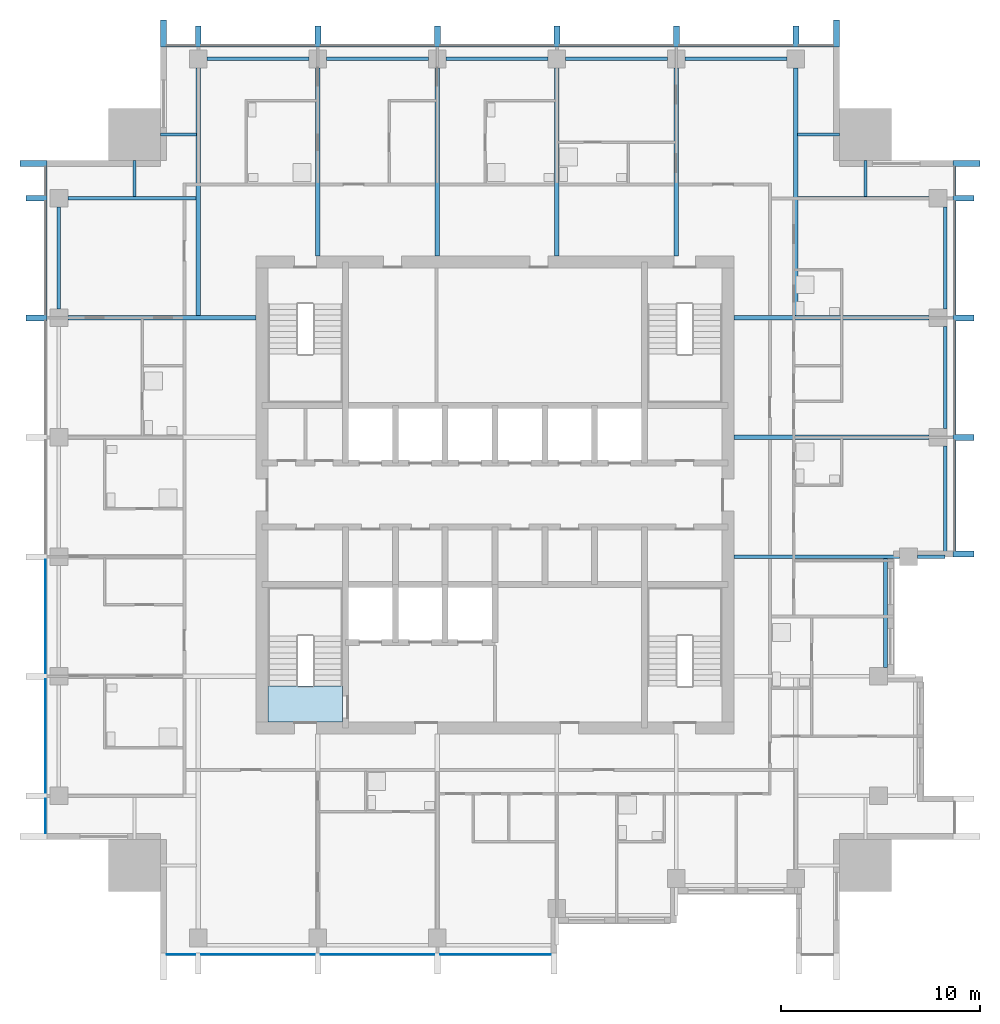
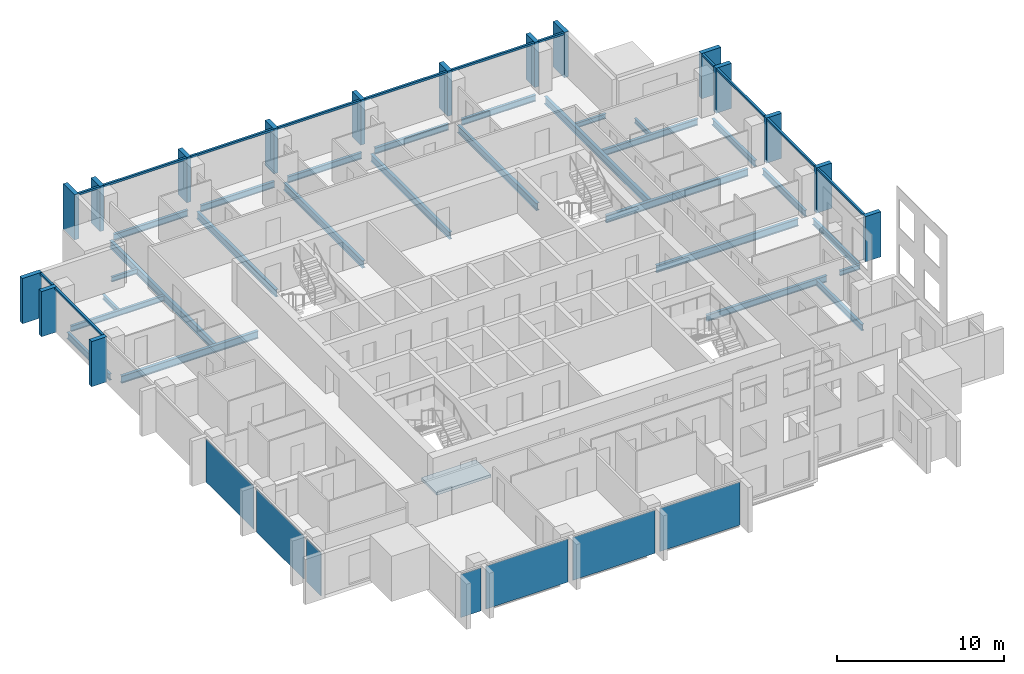
# One storey, part 2 of 11: 29 members, 27 beams, 7 plates, 1 slab, 5 elements without a shape of their own.
"""IFC4 building model written with IfcOpenShell, lengths in metres."""

from ifc_helpers import new_model, si_unit, direction, frame, origin, origin_2d, place, context, subcontext, project, spatial, polyline, rectangle, i_section, outline, extrude, material, layer, layer_set, material_profile, profile_set, type_object, element, aggregate, save


model = new_model("IFC4")

# Units and contexts
model_context = context("Model", 3, precision=1e-05, world=origin(), true_north=direction((0.0, 1.0)))
body_context = subcontext(model_context, "Body", "Model", "MODEL_VIEW")
ifc_project = project(units=[si_unit("LENGTHUNIT", "METRE"), si_unit("AREAUNIT", "SQUARE_METRE"), si_unit("VOLUMEUNIT", "CUBIC_METRE"), si_unit("PLANEANGLEUNIT", "RADIAN"), si_unit("MASSUNIT", "GRAM", prefix="KILO")], contexts=[model_context])

# Site, building, storey
site_placement = place(None, origin())
site = spatial("IfcSite", under=ifc_project, at=site_placement, CompositionType="ELEMENT")
building_placement = place(site_placement, origin())
building = spatial("IfcBuilding", under=site, at=building_placement, Name="Amberfall Residences", CompositionType="ELEMENT")
storey_placement = place(building_placement, frame((0.0, 0.0, 196.89990234375)))
storey = spatial("IfcBuildingStorey", under=building, at=storey_placement, Name="L52", CompositionType="ELEMENT", Elevation=196.89990234375)

# Curtain wall, members
ifc_material_1 = material(Name="Bronze anodised aluminium and glass", Category="aluminium")
curtain_wall_type = type_object("IfcCurtainWallType", Name="Curtain wall CW1 tower unit", PredefinedType="USERDEFINED", material=ifc_material_1)
curtain_wall_1_placement = place(storey_placement, origin())
curtain_wall_1 = element("IfcCurtainWall", 1, at=curtain_wall_1_placement, inside=storey, type_object=curtain_wall_type, Name="Curtain wall L52 E E7", ObjectType="UNITISED CURTAIN WALL", PredefinedType="USERDEFINED")
ifc_material_2 = material(Name="Bronze anodised aluminium", Category="aluminium")
ifc_material_profile_1 = material_profile(ifc_material_2, rectangle(XDim=0.14990234375, YDim=0.14990234375, at=origin_2d()), Name="CW1 transom 150 x 150 bronze")
ifc_profile_set_1 = profile_set([ifc_material_profile_1], Name="Bronze anodised aluminium")
member_type_1 = type_object("IfcMemberType", Name="CW1 transom 150 x 150 bronze", PredefinedType="USERDEFINED", material=ifc_profile_set_1)
member_1_placement = place(storey_placement, frame((97.574951171875, 42.699951171875, 2.97509765625), z_axis=(0.0, 1.0, 0.0), x_axis=(-1.0, 0.0, 0.0)))
member_1 = element("IfcMember", 2, at=member_1_placement, type_object=member_type_1, Name="CW1 transom 1.1", ObjectType="TRANSOM", PredefinedType="USERDEFINED", context=body_context, shape_type="SweptSolid", body=[
    extrude(rectangle(XDim=0.14990234375, YDim=0.14990234375, at=origin_2d()), origin(), (0.0, 0.0, 1.0), 5.550048828125),
])
member_2_placement = place(storey_placement, frame((97.574951171875, 48.550048828125, 2.97509765625), z_axis=(0.0, 1.0, 0.0), x_axis=(-1.0, 0.0, 0.0)))
member_2 = element("IfcMember", 3, at=member_2_placement, type_object=member_type_1, Name="CW1 transom 2.1", ObjectType="TRANSOM", PredefinedType="USERDEFINED", context=body_context, shape_type="SweptSolid", body=[
    extrude(rectangle(XDim=0.14990234375, YDim=0.14990234375, at=origin_2d()), origin(), (0.0, 0.0, 1.0), 5.699951171875),
])
member_3_placement = place(storey_placement, frame((97.574951171875, 54.550048828125, 2.97509765625), z_axis=(0.0, 1.0, 0.0), x_axis=(-1.0, 0.0, 0.0)))
member_3 = element("IfcMember", 4, at=member_3_placement, type_object=member_type_1, Name="CW1 transom 3.1", ObjectType="TRANSOM", PredefinedType="USERDEFINED", context=body_context, shape_type="SweptSolid", body=[
    extrude(rectangle(XDim=0.14990234375, YDim=0.14990234375, at=origin_2d()), origin(), (0.0, 0.0, 1.0), 5.699951171875),
])
member_4_placement = place(storey_placement, frame((97.574951171875, 60.550048828125, 2.97509765625), z_axis=(0.0, 1.0, 0.0), x_axis=(-1.0, 0.0, 0.0)))
member_4 = element("IfcMember", 5, at=member_4_placement, type_object=member_type_1, Name="CW1 transom 4.1", ObjectType="TRANSOM", PredefinedType="USERDEFINED", context=body_context, shape_type="SweptSolid", body=[
    extrude(rectangle(XDim=0.14990234375, YDim=0.14990234375, at=origin_2d()), origin(), (0.0, 0.0, 1.0), 1.449951171875),
])

curtain_wall_2_placement = place(storey_placement, origin())
curtain_wall_2 = element("IfcCurtainWall", 6, at=curtain_wall_2_placement, inside=storey, type_object=curtain_wall_type, Name="Curtain wall L52 N N1", ObjectType="UNITISED CURTAIN WALL", PredefinedType="USERDEFINED")
member_5_placement = place(storey_placement, frame((91.5, 68.074951171875, 2.97509765625), z_axis=(-1.0, 0.0, 0.0), x_axis=(0.0, -1.0, 0.0)))
member_5 = element("IfcMember", 7, at=member_5_placement, type_object=member_type_1, Name="CW1 transom 1.1", ObjectType="TRANSOM", PredefinedType="USERDEFINED", context=body_context, shape_type="SweptSolid", body=[
    extrude(rectangle(XDim=0.14990234375, YDim=0.14990234375, at=origin_2d()), origin(), (0.0, 0.0, 1.0), 1.75),
])
member_6_placement = place(storey_placement, frame((89.449951171875, 68.074951171875, 2.97509765625), z_axis=(-1.0, 0.0, 0.0), x_axis=(0.0, -1.0, 0.0)))
member_6 = element("IfcMember", 8, at=member_6_placement, type_object=member_type_1, Name="CW1 transom 2.1", ObjectType="TRANSOM", PredefinedType="USERDEFINED", context=body_context, shape_type="SweptSolid", body=[
    extrude(rectangle(XDim=0.14990234375, YDim=0.14990234375, at=origin_2d()), origin(), (0.0, 0.0, 1.0), 5.699951171875),
])
member_7_placement = place(storey_placement, frame((83.449951171875, 68.074951171875, 2.97509765625), z_axis=(-1.0, 0.0, 0.0), x_axis=(0.0, -1.0, 0.0)))
member_7 = element("IfcMember", 9, at=member_7_placement, type_object=member_type_1, Name="CW1 transom 3.1", ObjectType="TRANSOM", PredefinedType="USERDEFINED", context=body_context, shape_type="SweptSolid", body=[
    extrude(rectangle(XDim=0.14990234375, YDim=0.14990234375, at=origin_2d()), origin(), (0.0, 0.0, 1.0), 5.699951171875),
])
member_8_placement = place(storey_placement, frame((77.449951171875, 68.074951171875, 2.97509765625), z_axis=(-1.0, 0.0, 0.0), x_axis=(0.0, -1.0, 0.0)))
member_8 = element("IfcMember", 10, at=member_8_placement, type_object=member_type_1, Name="CW1 transom 4.1", ObjectType="TRANSOM", PredefinedType="USERDEFINED", context=body_context, shape_type="SweptSolid", body=[
    extrude(rectangle(XDim=0.14990234375, YDim=0.14990234375, at=origin_2d()), origin(), (0.0, 0.0, 1.0), 5.699951171875),
])
member_9_placement = place(storey_placement, frame((71.449951171875, 68.074951171875, 2.97509765625), z_axis=(-1.0, 0.0, 0.0), x_axis=(0.0, -1.0, 0.0)))
member_9 = element("IfcMember", 11, at=member_9_placement, type_object=member_type_1, Name="CW1 transom 5.1", ObjectType="TRANSOM", PredefinedType="USERDEFINED", context=body_context, shape_type="SweptSolid", body=[
    extrude(rectangle(XDim=0.14990234375, YDim=0.14990234375, at=origin_2d()), origin(), (0.0, 0.0, 1.0), 5.699951171875),
])
member_10_placement = place(storey_placement, frame((65.449951171875, 68.074951171875, 2.97509765625), z_axis=(-1.0, 0.0, 0.0), x_axis=(0.0, -1.0, 0.0)))
member_10 = element("IfcMember", 12, at=member_10_placement, type_object=member_type_1, Name="CW1 transom 6.1", ObjectType="TRANSOM", PredefinedType="USERDEFINED", context=body_context, shape_type="SweptSolid", body=[
    extrude(rectangle(XDim=0.14990234375, YDim=0.14990234375, at=origin_2d()), origin(), (0.0, 0.0, 1.0), 5.699951171875),
])
member_11_placement = place(storey_placement, frame((59.449951171875, 68.074951171875, 2.97509765625), z_axis=(-1.0, 0.0, 0.0), x_axis=(0.0, -1.0, 0.0)))
member_11 = element("IfcMember", 13, at=member_11_placement, type_object=member_type_1, Name="CW1 transom 7.1", ObjectType="TRANSOM", PredefinedType="USERDEFINED", context=body_context, shape_type="SweptSolid", body=[
    extrude(rectangle(XDim=0.14990234375, YDim=0.14990234375, at=origin_2d()), origin(), (0.0, 0.0, 1.0), 1.449951171875),
])

curtain_wall_3_placement = place(storey_placement, origin())
curtain_wall_3 = element("IfcCurtainWall", 14, at=curtain_wall_3_placement, inside=storey, type_object=curtain_wall_type, Name="Curtain wall L52 W W1", ObjectType="UNITISED CURTAIN WALL", PredefinedType="USERDEFINED")
member_12_placement = place(storey_placement, frame((51.925048828125, 62.0, 2.97509765625), z_axis=(0.0, -1.0, 0.0), x_axis=(1.0, 0.0, 0.0)))
member_12 = element("IfcMember", 15, at=member_12_placement, type_object=member_type_1, Name="CW1 transom 1.1", ObjectType="TRANSOM", PredefinedType="USERDEFINED", context=body_context, shape_type="SweptSolid", body=[
    extrude(rectangle(XDim=0.14990234375, YDim=0.14990234375, at=origin_2d()), origin(), (0.0, 0.0, 1.0), 1.449951171875),
])
member_13_placement = place(storey_placement, frame((51.925048828125, 60.25, 2.97509765625), z_axis=(0.0, -1.0, 0.0), x_axis=(1.0, 0.0, 0.0)))
member_13 = element("IfcMember", 16, at=member_13_placement, type_object=member_type_1, Name="CW1 transom 2.1", ObjectType="TRANSOM", PredefinedType="USERDEFINED", context=body_context, shape_type="SweptSolid", body=[
    extrude(rectangle(XDim=0.14990234375, YDim=0.14990234375, at=origin_2d()), origin(), (0.0, 0.0, 1.0), 5.699951171875),
])

# Beam
ifc_material_3 = material(Name="Steel S355", Category="steel")
ifc_material_profile_2 = material_profile(ifc_material_3, i_section(OverallWidth=0.171142578125, OverallDepth=0.351318359375, WebThickness=0.007080078125, FlangeThickness=0.009765625, FilletRadius=0.01025390625, at=origin_2d()), Name="UB 356x171x45")
ifc_profile_set_2 = profile_set([ifc_material_profile_2], Name="Steel S355")
beam_type_1 = type_object("IfcBeamType", Name="Cantilever girder UB 356x171x45", PredefinedType="BEAM", material=ifc_profile_set_2)
beam_1_placement = place(storey_placement, frame((95.699951171875, 42.39990234375, -0.425537109375), z_axis=(1.0, 0.0, 0.0), x_axis=(0.0, 1.0, 0.0)))
element("IfcBeam", 17, at=beam_1_placement, inside=storey, type_object=beam_type_1, Name="Cantilever girder B8 L52 21", PredefinedType="BEAM", context=body_context, shape_type="SweptSolid", body=[
    extrude(i_section(OverallWidth=0.171142578125, OverallDepth=0.351318359375, WebThickness=0.007080078125, FlangeThickness=0.009765625, FilletRadius=0.01025390625, at=origin_2d()), origin(), (0.0, 0.0, 1.0), 1.400146484375),
])

# Member
ifc_material_profile_3 = material_profile(ifc_material_2, rectangle(XDim=1.35009765625, YDim=0.300048828125, at=origin_2d()), Name="Corner fin 300 x 1350 bronze")
ifc_profile_set_3 = profile_set([ifc_material_profile_3], Name="Bronze anodised aluminium")
member_type_2 = type_object("IfcMemberType", Name="Corner fin 300 x 1350 bronze", PredefinedType="MULLION", material=ifc_profile_set_3)
member_14_placement = place(storey_placement, frame((98.175048828125, 62.14990234375, -0.25), z_axis=(0.0, 0.0, 1.0), x_axis=(-1.0, 0.0, 0.0)))
member_14 = element("IfcMember", 18, at=member_14_placement, type_object=member_type_2, Name="CW FIN 5", PredefinedType="MULLION", context=body_context, shape_type="SweptSolid", body=[
    extrude(rectangle(XDim=1.35009765625, YDim=0.300048828125, at=origin_2d()), origin(), (0.0, 0.0, 1.0), 3.300048828125),
])

member_15_placement = place(storey_placement, frame((91.64990234375, 68.675048828125, -0.25), z_axis=(0.0, 0.0, 1.0), x_axis=(0.0, -1.0, 0.0)))
member_15 = element("IfcMember", 19, at=member_15_placement, type_object=member_type_2, Name="CW FIN 1", PredefinedType="MULLION", context=body_context, shape_type="SweptSolid", body=[
    extrude(rectangle(XDim=1.35009765625, YDim=0.300048828125, at=origin_2d()), origin(), (0.0, 0.0, 1.0), 3.300048828125),
])

member_16_placement = place(storey_placement, frame((57.85009765625, 68.675048828125, -0.25), z_axis=(0.0, 0.0, 1.0), x_axis=(0.0, -1.0, 0.0)))
member_16 = element("IfcMember", 20, at=member_16_placement, type_object=member_type_2, Name="CW FIN 8", PredefinedType="MULLION", context=body_context, shape_type="SweptSolid", body=[
    extrude(rectangle(XDim=1.35009765625, YDim=0.300048828125, at=origin_2d()), origin(), (0.0, 0.0, 1.0), 3.300048828125),
])

member_17_placement = place(storey_placement, frame((51.324951171875, 62.14990234375, -0.25), z_axis=(0.0, 0.0, 1.0), x_axis=(1.0, 0.0, 0.0)))
member_17 = element("IfcMember", 21, at=member_17_placement, type_object=member_type_2, Name="CW FIN 1", PredefinedType="MULLION", context=body_context, shape_type="SweptSolid", body=[
    extrude(rectangle(XDim=1.35009765625, YDim=0.300048828125, at=origin_2d()), origin(), (0.0, 0.0, 1.0), 3.300048828125),
])

# Beams
ifc_material_profile_4 = material_profile(ifc_material_3, i_section(OverallWidth=0.18994140625, OverallDepth=0.453369140625, WebThickness=0.008544921875, FlangeThickness=0.0126953125, FilletRadius=0.01025390625, at=origin_2d()), Name="UB 457x191x67")
ifc_profile_set_4 = profile_set([ifc_material_profile_4], Name="Steel S355")
beam_type_2 = type_object("IfcBeamType", Name="Edge beam UB 457x191x67", PredefinedType="SPANDREL", material=ifc_profile_set_4)
for number, where, z_axis, x_axis, name in (
    (22, (94.10009765625, 36.85009765625, -0.4765625), (0.0, 1.0, 0.0), (-1.0, 0.0, 0.0), "Edge beam B1 L52 15"),
    (23, (97.10009765625, 42.47998046875, -0.4765625), (0.0, 1.0, 0.0), (-1.0, 0.0, 0.0), "Edge beam B1 L52 16"),
):
    element("IfcBeam", number, at=place(storey_placement, frame(where, z_axis=z_axis, x_axis=x_axis)), inside=storey, type_object=beam_type_2, Name=name, PredefinedType="SPANDREL", context=body_context, shape_type="SweptSolid", body=[
        extrude(i_section(OverallWidth=0.18994140625, OverallDepth=0.453369140625, WebThickness=0.008544921875, FlangeThickness=0.0126953125, FilletRadius=0.01025390625, at=origin_2d()), origin(), (0.0, 0.0, 1.0), 5.469970703125),
    ])
for number, where, z_axis, x_axis, name in (
    (24, (97.10009765625, 48.85009765625, -0.4765625), (0.0, 1.0, 0.0), (-1.0, 0.0, 0.0), "Edge beam B1 L52 17"),
    (25, (97.10009765625, 54.85009765625, -0.4765625), (0.0, 1.0, 0.0), (-1.0, 0.0, 0.0), "Edge beam B1 L52 18"),
    (26, (60.050048828125, 67.39990234375, -0.4765625), (1.0, 0.0, 0.0), (0.0, 1.0, 0.0), "Edge beam B1 L52 28"),
    (27, (66.050048828125, 67.39990234375, -0.4765625), (1.0, 0.0, 0.0), (0.0, 1.0, 0.0), "Edge beam B1 L52 29"),
    (28, (72.050048828125, 67.39990234375, -0.4765625), (1.0, 0.0, 0.0), (0.0, 1.0, 0.0), "Edge beam B1 L52 30"),
    (29, (78.050048828125, 67.39990234375, -0.4765625), (1.0, 0.0, 0.0), (0.0, 1.0, 0.0), "Edge beam B1 L52 31"),
    (30, (84.050048828125, 67.39990234375, -0.4765625), (1.0, 0.0, 0.0), (0.0, 1.0, 0.0), "Edge beam B1 L52 32"),
    (31, (52.60009765625, 54.85009765625, -0.4765625), (0.0, 1.0, 0.0), (-1.0, 0.0, 0.0), "Edge beam B1 L52 43"),
):
    element("IfcBeam", number, at=place(storey_placement, frame(where, z_axis=z_axis, x_axis=x_axis)), inside=storey, type_object=beam_type_2, Name=name, PredefinedType="SPANDREL", context=body_context, shape_type="SweptSolid", body=[
        extrude(i_section(OverallWidth=0.18994140625, OverallDepth=0.453369140625, WebThickness=0.008544921875, FlangeThickness=0.0126953125, FilletRadius=0.01025390625, at=origin_2d()), origin(), (0.0, 0.0, 1.0), 5.099853515625),
    ])

# Member
ifc_material_profile_5 = material_profile(ifc_material_2, rectangle(XDim=1.050048828125, YDim=0.300048828125, at=origin_2d()), Name="Fin 300 x 1050 bronze")
ifc_profile_set_5 = profile_set([ifc_material_profile_5], Name="Bronze anodised aluminium")
member_type_3 = type_object("IfcMemberType", Name="Fin 300 x 1050 bronze", PredefinedType="MULLION", material=ifc_profile_set_5)
member_18_placement = place(storey_placement, frame((98.02490234375, 42.550048828125, -0.25), z_axis=(0.0, 0.0, 1.0), x_axis=(-1.0, 0.0, 0.0)))
member_18 = element("IfcMember", 32, at=member_18_placement, type_object=member_type_3, Name="CW FIN 1", PredefinedType="MULLION", context=body_context, shape_type="SweptSolid", body=[
    extrude(rectangle(XDim=1.050048828125, YDim=0.300048828125, at=origin_2d()), origin(), (0.0, 0.0, 1.0), 3.300048828125),
])

member_19_placement = place(storey_placement, frame((98.02490234375, 48.39990234375, -0.25), z_axis=(0.0, 0.0, 1.0), x_axis=(-1.0, 0.0, 0.0)))
member_19 = element("IfcMember", 33, at=member_19_placement, type_object=member_type_3, Name="CW FIN 2", PredefinedType="MULLION", context=body_context, shape_type="SweptSolid", body=[
    extrude(rectangle(XDim=1.050048828125, YDim=0.300048828125, at=origin_2d()), origin(), (0.0, 0.0, 1.0), 3.300048828125),
])

member_20_placement = place(storey_placement, frame((98.02490234375, 54.39990234375, -0.25), z_axis=(0.0, 0.0, 1.0), x_axis=(-1.0, 0.0, 0.0)))
member_20 = element("IfcMember", 34, at=member_20_placement, type_object=member_type_3, Name="CW FIN 3", PredefinedType="MULLION", context=body_context, shape_type="SweptSolid", body=[
    extrude(rectangle(XDim=1.050048828125, YDim=0.300048828125, at=origin_2d()), origin(), (0.0, 0.0, 1.0), 3.300048828125),
])

member_21_placement = place(storey_placement, frame((98.02490234375, 60.39990234375, -0.25), z_axis=(0.0, 0.0, 1.0), x_axis=(-1.0, 0.0, 0.0)))
member_21 = element("IfcMember", 35, at=member_21_placement, type_object=member_type_3, Name="CW FIN 4", PredefinedType="MULLION", context=body_context, shape_type="SweptSolid", body=[
    extrude(rectangle(XDim=1.050048828125, YDim=0.300048828125, at=origin_2d()), origin(), (0.0, 0.0, 1.0), 3.300048828125),
])

aggregate(curtain_wall_1, [member_18, member_19, member_20, member_21, member_14, member_1, member_2, member_3, member_4])

member_22_placement = place(storey_placement, frame((89.60009765625, 68.52490234375, -0.25), z_axis=(0.0, 0.0, 1.0), x_axis=(0.0, -1.0, 0.0)))
member_22 = element("IfcMember", 36, at=member_22_placement, type_object=member_type_3, Name="CW FIN 2", PredefinedType="MULLION", context=body_context, shape_type="SweptSolid", body=[
    extrude(rectangle(XDim=1.050048828125, YDim=0.300048828125, at=origin_2d()), origin(), (0.0, 0.0, 1.0), 3.300048828125),
])

member_23_placement = place(storey_placement, frame((83.60009765625, 68.52490234375, -0.25), z_axis=(0.0, 0.0, 1.0), x_axis=(0.0, -1.0, 0.0)))
member_23 = element("IfcMember", 37, at=member_23_placement, type_object=member_type_3, Name="CW FIN 3", PredefinedType="MULLION", context=body_context, shape_type="SweptSolid", body=[
    extrude(rectangle(XDim=1.050048828125, YDim=0.300048828125, at=origin_2d()), origin(), (0.0, 0.0, 1.0), 3.300048828125),
])

member_24_placement = place(storey_placement, frame((77.60009765625, 68.52490234375, -0.25), z_axis=(0.0, 0.0, 1.0), x_axis=(0.0, -1.0, 0.0)))
member_24 = element("IfcMember", 38, at=member_24_placement, type_object=member_type_3, Name="CW FIN 4", PredefinedType="MULLION", context=body_context, shape_type="SweptSolid", body=[
    extrude(rectangle(XDim=1.050048828125, YDim=0.300048828125, at=origin_2d()), origin(), (0.0, 0.0, 1.0), 3.300048828125),
])

member_25_placement = place(storey_placement, frame((71.60009765625, 68.52490234375, -0.25), z_axis=(0.0, 0.0, 1.0), x_axis=(0.0, -1.0, 0.0)))
member_25 = element("IfcMember", 39, at=member_25_placement, type_object=member_type_3, Name="CW FIN 5", PredefinedType="MULLION", context=body_context, shape_type="SweptSolid", body=[
    extrude(rectangle(XDim=1.050048828125, YDim=0.300048828125, at=origin_2d()), origin(), (0.0, 0.0, 1.0), 3.300048828125),
])

member_26_placement = place(storey_placement, frame((65.60009765625, 68.52490234375, -0.25), z_axis=(0.0, 0.0, 1.0), x_axis=(0.0, -1.0, 0.0)))
member_26 = element("IfcMember", 40, at=member_26_placement, type_object=member_type_3, Name="CW FIN 6", PredefinedType="MULLION", context=body_context, shape_type="SweptSolid", body=[
    extrude(rectangle(XDim=1.050048828125, YDim=0.300048828125, at=origin_2d()), origin(), (0.0, 0.0, 1.0), 3.300048828125),
])

member_27_placement = place(storey_placement, frame((59.60009765625, 68.52490234375, -0.25), z_axis=(0.0, 0.0, 1.0), x_axis=(0.0, -1.0, 0.0)))
member_27 = element("IfcMember", 41, at=member_27_placement, type_object=member_type_3, Name="CW FIN 7", PredefinedType="MULLION", context=body_context, shape_type="SweptSolid", body=[
    extrude(rectangle(XDim=1.050048828125, YDim=0.300048828125, at=origin_2d()), origin(), (0.0, 0.0, 1.0), 3.300048828125),
])

aggregate(curtain_wall_2, [member_15, member_22, member_23, member_24, member_25, member_26, member_27, member_16, member_5, member_6, member_7, member_8, member_9, member_10, member_11])

member_28_placement = place(storey_placement, frame((51.47509765625, 60.39990234375, -0.25), z_axis=(0.0, 0.0, 1.0), x_axis=(1.0, 0.0, 0.0)))
member_28 = element("IfcMember", 42, at=member_28_placement, type_object=member_type_3, Name="CW FIN 2", PredefinedType="MULLION", context=body_context, shape_type="SweptSolid", body=[
    extrude(rectangle(XDim=1.050048828125, YDim=0.300048828125, at=origin_2d()), origin(), (0.0, 0.0, 1.0), 3.300048828125),
])

member_29_placement = place(storey_placement, frame((51.47509765625, 54.39990234375, -0.25), z_axis=(0.0, 0.0, 1.0), x_axis=(1.0, 0.0, 0.0)))
member_29 = element("IfcMember", 43, at=member_29_placement, type_object=member_type_3, Name="CW FIN 3", PredefinedType="MULLION", context=body_context, shape_type="SweptSolid", body=[
    extrude(rectangle(XDim=1.050048828125, YDim=0.300048828125, at=origin_2d()), origin(), (0.0, 0.0, 1.0), 3.300048828125),
])

# Beams
ifc_material_profile_6 = material_profile(ifc_material_3, i_section(OverallWidth=0.177734375, OverallDepth=0.402587890625, WebThickness=0.0078125, FlangeThickness=0.010986328125, FilletRadius=0.01025390625, at=origin_2d()), Name="UB 406x178x54")
ifc_profile_set_6 = profile_set([ifc_material_profile_6], Name="Steel S355")
beam_type_3 = type_object("IfcBeamType", Name="Floor girder UB 406x178x54", PredefinedType="BEAM", material=ifc_profile_set_6)
beam_2_placement = place(storey_placement, frame((53.050048828125, 60.39990234375, -0.451171875), z_axis=(1.0, 0.0, 0.0), x_axis=(0.0, 1.0, 0.0)))
element("IfcBeam", 44, at=beam_2_placement, inside=storey, type_object=beam_type_3, Name="Floor girder B4 L52 49", PredefinedType="BEAM", context=body_context, shape_type="SweptSolid", body=[
    extrude(i_section(OverallWidth=0.177734375, OverallDepth=0.402587890625, WebThickness=0.0078125, FlangeThickness=0.010986328125, FilletRadius=0.01025390625, at=origin_2d()), origin(), (0.0, 0.0, 1.0), 6.429931640625),
])
ifc_material_profile_7 = material_profile(ifc_material_3, i_section(OverallWidth=0.19140625, OverallDepth=0.4599609375, WebThickness=0.010009765625, FlangeThickness=0.01611328125, FilletRadius=0.01025390625, at=origin_2d()), Name="UB 457x191x82")
ifc_profile_set_7 = profile_set([ifc_material_profile_7], Name="Steel S355")
beam_type_4 = type_object("IfcBeamType", Name="Floor girder UB 457x191x82", PredefinedType="BEAM", material=ifc_profile_set_7)
beam_3_placement = place(storey_placement, frame((94.800048828125, 42.39990234375, -0.47998046875), z_axis=(-1.0, 0.0, 0.0), x_axis=(0.0, -1.0, 0.0)))
element("IfcBeam", 45, at=beam_3_placement, inside=storey, type_object=beam_type_4, Name="Floor girder B10 L52 24", PredefinedType="BEAM", context=body_context, shape_type="SweptSolid", body=[
    extrude(i_section(OverallWidth=0.19140625, OverallDepth=0.4599609375, WebThickness=0.010009765625, FlangeThickness=0.01611328125, FilletRadius=0.01025390625, at=origin_2d()), origin(), (0.0, 0.0, 1.0), 8.300048828125),
])
beam_4_placement = place(storey_placement, frame((96.300048828125, 60.39990234375, -0.47998046875), z_axis=(-1.0, 0.0, 0.0), x_axis=(0.0, -1.0, 0.0)))
element("IfcBeam", 46, at=beam_4_placement, inside=storey, type_object=beam_type_4, Name="Floor girder B10 L52 27", PredefinedType="BEAM", context=body_context, shape_type="SweptSolid", body=[
    extrude(i_section(OverallWidth=0.19140625, OverallDepth=0.4599609375, WebThickness=0.010009765625, FlangeThickness=0.01611328125, FilletRadius=0.01025390625, at=origin_2d()), origin(), (0.0, 0.0, 1.0), 6.580078125),
])
ifc_material_profile_8 = material_profile(ifc_material_3, i_section(OverallWidth=0.210693359375, OverallDepth=0.53955078125, WebThickness=0.01171875, FlangeThickness=0.018798828125, FilletRadius=0.0126953125, at=origin_2d()), Name="UB 533x210x109")
ifc_profile_set_8 = profile_set([ifc_material_profile_8], Name="Steel S355")
beam_type_5 = type_object("IfcBeamType", Name="Floor girder UB 533x210x109", PredefinedType="BEAM", material=ifc_profile_set_8)
for number, where, z_axis, x_axis, name in (
    (47, (59.60009765625, 66.949951171875, -0.51953125), (0.0, -1.0, 0.0), (1.0, 0.0, 0.0), "Floor girder B2 L52 33"),
    (48, (89.60009765625, 66.949951171875, -0.51953125), (0.0, -1.0, 0.0), (1.0, 0.0, 0.0), "Floor girder B2 L52 38"),
):
    element("IfcBeam", number, at=place(storey_placement, frame(where, z_axis=z_axis, x_axis=x_axis)), inside=storey, type_object=beam_type_5, Name=name, PredefinedType="BEAM", context=body_context, shape_type="SweptSolid", body=[
        extrude(i_section(OverallWidth=0.210693359375, OverallDepth=0.53955078125, WebThickness=0.01171875, FlangeThickness=0.018798828125, FilletRadius=0.0126953125, at=origin_2d()), origin(), (0.0, 0.0, 1.0), 12.450439453125),
    ])
ifc_material_profile_9 = material_profile(ifc_material_3, i_section(OverallWidth=0.209228515625, OverallDepth=0.533203125, WebThickness=0.010009765625, FlangeThickness=0.015625, FilletRadius=0.0126953125, at=origin_2d()), Name="UB 533x210x92")
ifc_profile_set_9 = profile_set([ifc_material_profile_9], Name="Steel S355")
beam_type_6 = type_object("IfcBeamType", Name="Floor girder UB 533x210x92", PredefinedType="BEAM", material=ifc_profile_set_9)
for number, where, z_axis, x_axis, name in (
    (49, (96.300048828125, 48.39990234375, -0.516357421875), (-1.0, 0.0, 0.0), (0.0, -1.0, 0.0), "Floor girder B3 L52 25"),
    (50, (96.300048828125, 54.39990234375, -0.516357421875), (-1.0, 0.0, 0.0), (0.0, -1.0, 0.0), "Floor girder B3 L52 26"),
):
    element("IfcBeam", number, at=place(storey_placement, frame(where, z_axis=z_axis, x_axis=x_axis)), inside=storey, type_object=beam_type_6, Name=name, PredefinedType="BEAM", context=body_context, shape_type="SweptSolid", body=[
        extrude(i_section(OverallWidth=0.209228515625, OverallDepth=0.533203125, WebThickness=0.010009765625, FlangeThickness=0.015625, FilletRadius=0.0126953125, at=origin_2d()), origin(), (0.0, 0.0, 1.0), 9.800048828125),
    ])
for number, where, z_axis, x_axis, name in (
    (51, (65.60009765625, 66.949951171875, -0.516357421875), (0.0, -1.0, 0.0), (1.0, 0.0, 0.0), "Floor girder B3 L52 34"),
    (52, (71.60009765625, 66.949951171875, -0.516357421875), (0.0, -1.0, 0.0), (1.0, 0.0, 0.0), "Floor girder B3 L52 35"),
    (53, (77.60009765625, 66.949951171875, -0.516357421875), (0.0, -1.0, 0.0), (1.0, 0.0, 0.0), "Floor girder B3 L52 36"),
    (54, (83.60009765625, 66.949951171875, -0.516357421875), (0.0, -1.0, 0.0), (1.0, 0.0, 0.0), "Floor girder B3 L52 37"),
    (55, (53.050048828125, 54.39990234375, -0.516357421875), (1.0, 0.0, 0.0), (0.0, 1.0, 0.0), "Floor girder B3 L52 48"),
):
    element("IfcBeam", number, at=place(storey_placement, frame(where, z_axis=z_axis, x_axis=x_axis)), inside=storey, type_object=beam_type_6, Name=name, PredefinedType="BEAM", context=body_context, shape_type="SweptSolid", body=[
        extrude(i_section(OverallWidth=0.209228515625, OverallDepth=0.533203125, WebThickness=0.010009765625, FlangeThickness=0.015625, FilletRadius=0.0126953125, at=origin_2d()), origin(), (0.0, 0.0, 1.0), 9.449951171875),
    ])
ifc_material_profile_10 = material_profile(ifc_material_3, i_section(OverallWidth=0.171142578125, OverallDepth=0.351318359375, WebThickness=0.007080078125, FlangeThickness=0.009765625, FilletRadius=0.01025390625, at=origin_2d()), Name="UB 356x171x45")
ifc_profile_set_10 = profile_set([ifc_material_profile_10], Name="Steel S355")
beam_type_7 = type_object("IfcBeamType", Name="Link beam UB 356x171x45", PredefinedType="BEAM", material=ifc_profile_set_10)
beam_5_placement = place(storey_placement, frame((91.800048828125, 63.60009765625, -0.425537109375), z_axis=(-1.0, 0.0, 0.0), x_axis=(0.0, -1.0, 0.0)))
element("IfcBeam", 56, at=beam_5_placement, inside=storey, type_object=beam_type_7, Name="Link beam B7 L52 54", PredefinedType="BEAM", context=body_context, shape_type="SweptSolid", body=[
    extrude(i_section(OverallWidth=0.171142578125, OverallDepth=0.351318359375, WebThickness=0.007080078125, FlangeThickness=0.009765625, FilletRadius=0.01025390625, at=origin_2d()), origin(), (0.0, 0.0, 1.0), 2.104736328125),
])
beam_6_placement = place(storey_placement, frame((93.10009765625, 62.300048828125, -0.425537109375), z_axis=(0.0, -1.0, 0.0), x_axis=(1.0, 0.0, 0.0)))
element("IfcBeam", 57, at=beam_6_placement, inside=storey, type_object=beam_type_7, Name="Link beam B7 L52 55", PredefinedType="BEAM", context=body_context, shape_type="SweptSolid", body=[
    extrude(i_section(OverallWidth=0.171142578125, OverallDepth=0.351318359375, WebThickness=0.007080078125, FlangeThickness=0.009765625, FilletRadius=0.01025390625, at=origin_2d()), origin(), (0.0, 0.0, 1.0), 1.814453125),
])
beam_7_placement = place(storey_placement, frame((57.699951171875, 63.60009765625, -0.425537109375), z_axis=(1.0, 0.0, 0.0), x_axis=(0.0, 1.0, 0.0)))
element("IfcBeam", 58, at=beam_7_placement, inside=storey, type_object=beam_type_7, Name="Link beam B7 L52 56", PredefinedType="BEAM", context=body_context, shape_type="SweptSolid", body=[
    extrude(i_section(OverallWidth=0.171142578125, OverallDepth=0.351318359375, WebThickness=0.007080078125, FlangeThickness=0.009765625, FilletRadius=0.01025390625, at=origin_2d()), origin(), (0.0, 0.0, 1.0), 1.8046875),
])
beam_8_placement = place(storey_placement, frame((56.39990234375, 62.300048828125, -0.425537109375), z_axis=(0.0, -1.0, 0.0), x_axis=(1.0, 0.0, 0.0)))
element("IfcBeam", 59, at=beam_8_placement, inside=storey, type_object=beam_type_7, Name="Link beam B7 L52 57", PredefinedType="BEAM", context=body_context, shape_type="SweptSolid", body=[
    extrude(i_section(OverallWidth=0.171142578125, OverallDepth=0.351318359375, WebThickness=0.007080078125, FlangeThickness=0.009765625, FilletRadius=0.01025390625, at=origin_2d()), origin(), (0.0, 0.0, 1.0), 1.821044921875),
])

# Curtain wall, plates
curtain_wall_4_placement = place(storey_placement, origin())
curtain_wall_4 = element("IfcCurtainWall", 60, at=curtain_wall_4_placement, inside=storey, type_object=curtain_wall_type, Name="Curtain wall L52 S S1", ObjectType="UNITISED CURTAIN WALL", PredefinedType="USERDEFINED")
ifc_material_4 = material(Name="Tinted double glazed unit", Category="glass")
ifc_layer_1 = layer(ifc_material_4, 0.035888671875)
ifc_layer_set_1 = layer_set([ifc_layer_1], Name="CW1 panel 36 glazing")
plate_type = type_object("IfcPlateType", Name="CW1 panel 36 glazing", PredefinedType="CURTAIN_PANEL", material=ifc_layer_set_1)
plate_1_placement = place(storey_placement, frame((58.72509765625, 22.425048828125, -0.249755859375), z_axis=(0.0, 0.0, 1.0), x_axis=(1.0, 0.0, 0.0)))
plate_1 = element("IfcPlate", 61, at=plate_1_placement, type_object=plate_type, Name="CW1 panel 1.1", PredefinedType="CURTAIN_PANEL", context=body_context, shape_type="SweptSolid", body=[
    extrude(rectangle(XDim=1.426025390625, YDim=0.035888671875, at=origin_2d()), origin(), (0.0, 0.0, 1.0), 3.14990234375),
])
plate_2_placement = place(storey_placement, frame((62.60009765625, 22.425048828125, -0.249755859375), z_axis=(0.0, 0.0, 1.0), x_axis=(1.0, 0.0, 0.0)))
plate_2 = element("IfcPlate", 62, at=plate_2_placement, type_object=plate_type, Name="CW1 panel 2.1", PredefinedType="CURTAIN_PANEL", context=body_context, shape_type="SweptSolid", body=[
    extrude(rectangle(XDim=5.676025390625, YDim=0.035888671875, at=origin_2d()), origin(), (0.0, 0.0, 1.0), 3.14990234375),
])
plate_3_placement = place(storey_placement, frame((68.60009765625, 22.425048828125, -0.249755859375), z_axis=(0.0, 0.0, 1.0), x_axis=(1.0, 0.0, 0.0)))
plate_3 = element("IfcPlate", 63, at=plate_3_placement, type_object=plate_type, Name="CW1 panel 3.1", PredefinedType="CURTAIN_PANEL", context=body_context, shape_type="SweptSolid", body=[
    extrude(rectangle(XDim=5.676025390625, YDim=0.035888671875, at=origin_2d()), origin(), (0.0, 0.0, 1.0), 3.14990234375),
])
plate_4_placement = place(storey_placement, frame((74.52490234375, 22.425048828125, -0.249755859375), z_axis=(0.0, 0.0, 1.0), x_axis=(1.0, 0.0, 0.0)))
plate_4 = element("IfcPlate", 64, at=plate_4_placement, type_object=plate_type, Name="CW1 panel 4.1", PredefinedType="CURTAIN_PANEL", context=body_context, shape_type="SweptSolid", body=[
    extrude(rectangle(XDim=5.52587890625, YDim=0.035888671875, at=origin_2d()), origin(), (0.0, 0.0, 1.0), 3.14990234375),
])
aggregate(curtain_wall_4, [plate_1, plate_2, plate_3, plate_4])

# Plate
plate_5_placement = place(storey_placement, frame((51.925048828125, 39.39990234375, -0.249755859375), z_axis=(0.0, 0.0, 1.0), x_axis=(0.0, -1.0, 0.0)))
plate_5 = element("IfcPlate", 65, at=plate_5_placement, type_object=plate_type, Name="CW1 panel 5.1", PredefinedType="CURTAIN_PANEL", context=body_context, shape_type="SweptSolid", body=[
    extrude(rectangle(XDim=5.676025390625, YDim=0.035888671875, at=origin_2d()), origin(), (0.0, 0.0, 1.0), 3.14990234375),
])

plate_6_placement = place(storey_placement, frame((51.925048828125, 33.39990234375, -0.249755859375), z_axis=(0.0, 0.0, 1.0), x_axis=(0.0, -1.0, 0.0)))
plate_6 = element("IfcPlate", 66, at=plate_6_placement, type_object=plate_type, Name="CW1 panel 6.1", PredefinedType="CURTAIN_PANEL", context=body_context, shape_type="SweptSolid", body=[
    extrude(rectangle(XDim=5.676025390625, YDim=0.035888671875, at=origin_2d()), origin(), (0.0, 0.0, 1.0), 3.14990234375),
])

plate_7_placement = place(storey_placement, frame((51.925048828125, 29.375, -0.249755859375), z_axis=(0.0, 0.0, 1.0), x_axis=(0.0, -1.0, 0.0)))
plate_7 = element("IfcPlate", 67, at=plate_7_placement, type_object=plate_type, Name="CW1 panel 7.1", PredefinedType="CURTAIN_PANEL", context=body_context, shape_type="SweptSolid", body=[
    extrude(rectangle(XDim=1.72607421875, YDim=0.035888671875, at=origin_2d()), origin(), (0.0, 0.0, 1.0), 3.14990234375),
])

aggregate(curtain_wall_3, [member_17, member_28, member_29, member_12, member_13, plate_5, plate_6, plate_7])

# Stair, slab
ifc_material_5 = material(Name="Concrete C40", Category="concrete")
stair_type = type_object("IfcStairType", Name="Exit stair 20 risers 165.0 mm", PredefinedType="HALF_TURN_STAIR", material=ifc_material_5)
stair_placement = place(storey_placement, origin())
stair = element("IfcStair", 68, at=stair_placement, inside=storey, type_object=stair_type, Name="L52 Exit stair 1", PredefinedType="HALF_TURN_STAIR")
ifc_layer_2 = layer(ifc_material_5, 0.199951171875)
ifc_layer_set_2 = layer_set([ifc_layer_2], Name="Stair landing 200")
slab_type = type_object("IfcSlabType", Name="Stair landing 200", PredefinedType="LANDING", material=ifc_layer_set_2)
slab_placement = place(storey_placement, frame((0.0, 0.0, -0.199951171875)))
slab = element("IfcSlab", 69, at=slab_placement, type_object=slab_type, Name="ST3 landing 2", PredefinedType="LANDING", context=body_context, shape_type="SweptSolid", body=[
    extrude(outline(polyline([(66.85009765625, 34.10009765625), (66.85009765625, 35.89990234375), (63.10009765625, 35.89990234375), (63.10009765625, 34.10009765625), (66.85009765625, 34.10009765625)])), origin(), (0.0, 0.0, 1.0), 0.199951171875),
])
aggregate(stair, [slab])

save(model, "model.ifc")
